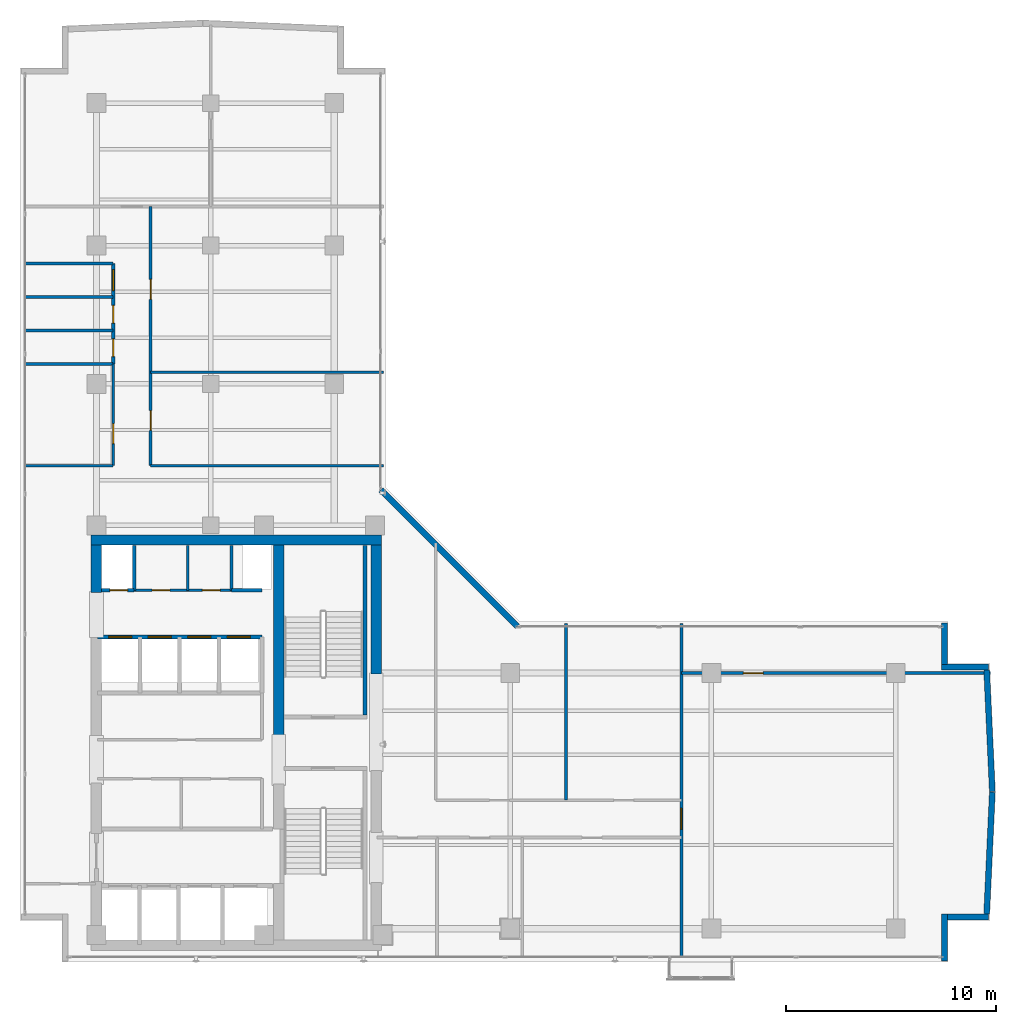
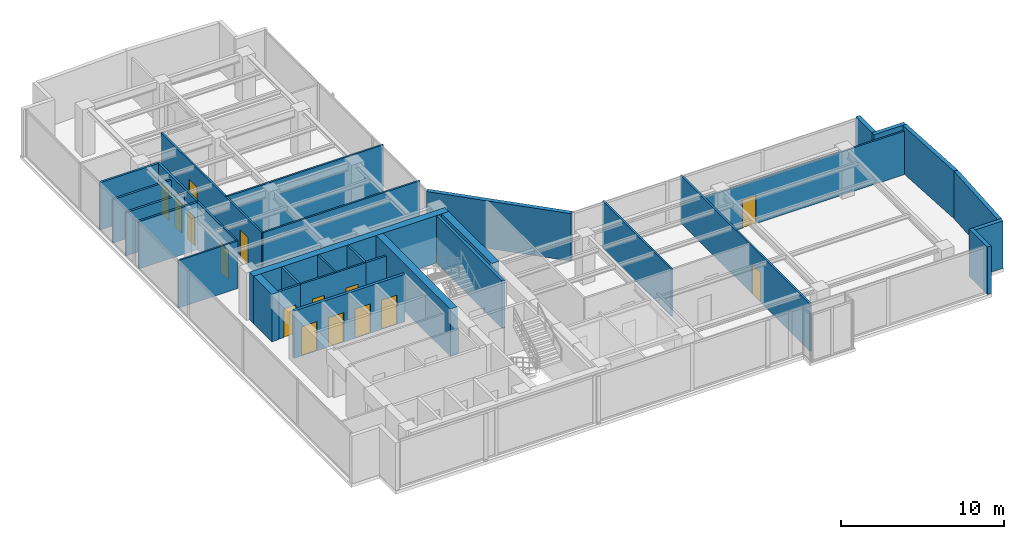
# One storey, part 18 of 24: 32 walls, 15 doors, 15 openings.
"""IFC4 building model written with IfcOpenShell, lengths in metres."""

from ifc_helpers import new_model, si_unit, direction, frame, frame_2d, origin, place, context, subcontext, project, spatial, rectangle, extrude, material, layer, layer_set, type_object, element, fill, save


model = new_model("IFC4")

# Units and contexts
model_context = context("Model", 3, precision=1e-05, world=origin(), true_north=direction((0.0, 1.0)))
body_context = subcontext(model_context, "Body", "Model", "MODEL_VIEW")
ifc_project = project(units=[si_unit("LENGTHUNIT", "METRE"), si_unit("AREAUNIT", "SQUARE_METRE"), si_unit("VOLUMEUNIT", "CUBIC_METRE"), si_unit("PLANEANGLEUNIT", "RADIAN"), si_unit("MASSUNIT", "GRAM", prefix="KILO")], contexts=[model_context])

# Site, building, storey
site_placement = place(None, origin())
site = spatial("IfcSite", under=ifc_project, at=site_placement, CompositionType="ELEMENT")
building_placement = place(site_placement, origin())
building = spatial("IfcBuilding", under=site, at=building_placement, Name="Kolvaren Waterfront Exchange", CompositionType="ELEMENT")
storey_placement = place(building_placement, frame((0.0, 0.0, 316.0)))
storey = spatial("IfcBuildingStorey", under=building, at=storey_placement, Name="L81", CompositionType="ELEMENT", Elevation=316.0)

# Walls
ifc_material_1 = material(Name="Precast concrete C40/50", Category="concrete")
ifc_layer_1 = layer(ifc_material_1, 0.280029296875, Name="Precast concrete C40/50")
ifc_layer_set_1 = layer_set([ifc_layer_1], Name="Precast concrete C40/50")
wall_type_1 = type_object("IfcWallType", Name="ARC-EXT-TERR-280", PredefinedType="SOLIDWALL", material=ifc_layer_set_1)
wall_1_placement = place(storey_placement, frame((47.92431640625, 3.659912109375, 0.0), z_axis=(0.0, 0.0, 1.0), x_axis=(0.0, 1.0, 0.0)))
element("IfcWall", 1, at=wall_1_placement, inside=storey, type_object=wall_type_1, Name="L81 notched corner spandrel pier SE-A", PredefinedType="SOLIDWALL", context=body_context, shape_type="SweptSolid", body=[
    extrude(rectangle(XDim=2.239990234375, YDim=0.280029296875, at=frame_2d((1.1201171875, 0.0))), origin(), (0.0, 0.0, 1.0), 3.56005859375),
])
wall_2_placement = place(storey_placement, frame((48.064208984375, 5.760009765625, 0.0), z_axis=(0.0, 0.0, 1.0), x_axis=(1.0, 0.0, 0.0)))
element("IfcWall", 2, at=wall_2_placement, inside=storey, type_object=wall_type_1, Name="L81 notched corner spandrel pier SE-B", PredefinedType="SOLIDWALL", context=body_context, shape_type="SweptSolid", body=[
    extrude(rectangle(XDim=1.9599609375, YDim=0.280029296875, at=frame_2d((0.97998046875, 0.0))), origin(), (0.0, 0.0, 1.0), 3.56005859375),
])
wall_3_placement = place(storey_placement, frame((47.92431640625, 17.817626953125, 0.0), z_axis=(0.0, 0.0, 1.0), x_axis=(0.0, 1.0, 0.0)))
element("IfcWall", 3, at=wall_3_placement, inside=storey, type_object=wall_type_1, Name="L81 notched corner spandrel pier ENE-A", PredefinedType="SOLIDWALL", context=body_context, shape_type="SweptSolid", body=[
    extrude(rectangle(XDim=1.974853515625, YDim=0.280029296875, at=frame_2d((0.9873046875, 0.0))), origin(), (0.0, 0.0, 1.0), 3.56005859375),
])
wall_4_placement = place(storey_placement, frame((47.7841796875, 17.692626953125, 0.0), z_axis=(0.0, 0.0, 1.0), x_axis=(1.0, 0.0, 0.0)))
element("IfcWall", 4, at=wall_4_placement, inside=storey, type_object=wall_type_1, Name="L81 notched corner spandrel pier ENE-B", PredefinedType="SOLIDWALL", context=body_context, shape_type="SweptSolid", body=[
    extrude(rectangle(XDim=2.239990234375, YDim=0.280029296875, at=frame_2d((1.1201171875, 0.0))), origin(), (0.0, 0.0, 1.0), 3.56005859375),
])
wall_5_placement = place(storey_placement, frame((27.53759765625, 19.627685546875, 0.0), z_axis=(0.0, 0.0, 1.0), x_axis=(-0.707106781187, 0.707106781187, 0.0)))
element("IfcWall", 5, at=wall_5_placement, inside=storey, type_object=wall_type_1, Name="L81 notched corner spandrel pier ELBOW", PredefinedType="SOLIDWALL", context=body_context, shape_type="SweptSolid", body=[
    extrude(rectangle(XDim=9.20654296875, YDim=0.280029296875, at=frame_2d((4.603271484375, 0.0))), origin(), (0.0, 0.0, 1.0), 3.56005859375),
])
wall_6_placement = place(storey_placement, frame((49.938232421875, 5.906982421875, 0.0), z_axis=(0.0, 0.0, 1.0), x_axis=(0.046325924779, 0.998926378015, 0.0)))
element("IfcWall", 6, at=wall_6_placement, inside=storey, type_object=wall_type_1, Name="L81 east prow faceted facade wall 1", PredefinedType="SOLIDWALL", context=body_context, shape_type="SweptSolid", body=[
    extrude(rectangle(XDim=5.81298828125, YDim=0.280029296875, at=frame_2d((2.906494140625, 0.0))), origin(), (0.0, 0.0, 1.0), 3.56005859375),
])
wall_7_placement = place(storey_placement, frame((50.20751953125, 11.739013671875, 0.0), z_axis=(0.0, 0.0, 1.0), x_axis=(-0.046327868457, 0.998926287873, 0.0)))
element("IfcWall", 7, at=wall_7_placement, inside=storey, type_object=wall_type_1, Name="L81 east prow faceted facade wall 2", PredefinedType="SOLIDWALL", context=body_context, shape_type="SweptSolid", body=[
    extrude(rectangle(XDim=5.812744140625, YDim=0.280029296875, at=frame_2d((2.90625, 0.0))), origin(), (0.0, 0.0, 1.0), 3.56005859375),
])

# Wall, openings, doors
ifc_material_2 = material(Name="Acoustic gypsum steel stud", Category="steel")
ifc_layer_2 = layer(ifc_material_2, 0.125, Name="Acoustic gypsum steel stud")
ifc_layer_set_2 = layer_set([ifc_layer_2], Name="Acoustic gypsum steel stud")
wall_type_2 = type_object("IfcWallType", Name="ARC-PART-125", PredefinedType="PARTITIONING", material=ifc_layer_set_2)
wall_8_placement = place(storey_placement, frame((9.25, 21.35009765625, 0.0), z_axis=(0.0, 0.0, 1.0), x_axis=(1.0, 0.0, 0.0)))
wall_8 = element("IfcWall", 8, at=wall_8_placement, inside=storey, type_object=wall_type_2, Name="L81 interior wall PW-L81-SVC-HI-S", PredefinedType="PARTITIONING", context=body_context, shape_type="SweptSolid", body=[
    extrude(rectangle(XDim=4.64990234375, YDim=0.125, at=frame_2d((2.324951171875, 0.0))), origin(), (0.0, 0.0, 1.0), 3.56005859375),
])
opening_1_placement = place(wall_8_placement, frame((0.85009765625, 0.0, 0.0)))
opening_1 = element("IfcOpeningElement", 9, at=opening_1_placement, cuts=wall_8, Name="Opening D01", PredefinedType="OPENING", context=body_context, shape_type="SweptSolid", body=[
    extrude(rectangle(XDim=0.85009765625, YDim=2.14990234375, at=frame_2d((0.425048828125, 1.074951171875))), frame((0.0, 0.072509765625, 0.0), z_axis=(0.0, -1.0, 0.0), x_axis=(1.0, 0.0, 0.0)), (0.0, 0.0, 1.0), 0.14501953125),
])
opening_2_placement = place(wall_8_placement, frame((3.25, 0.0, 0.0)))
opening_2 = element("IfcOpeningElement", 10, at=opening_2_placement, cuts=wall_8, Name="Opening D01", PredefinedType="OPENING", context=body_context, shape_type="SweptSolid", body=[
    extrude(rectangle(XDim=0.85009765625, YDim=2.14990234375, at=frame_2d((0.425048828125, 1.074951171875))), frame((0.0, 0.072509765625, 0.0), z_axis=(0.0, -1.0, 0.0), x_axis=(1.0, 0.0, 0.0)), (0.0, 0.0, 1.0), 0.14501953125),
])
ifc_material_3 = material(Name="Oak veneer timber leaf", Category="wood")
door_type_1 = type_object("IfcDoorType", Name="ARC-DR-900", OperationType="NOTDEFINED", PredefinedType="DOOR", material=ifc_material_3)
door_1_placement = place(opening_1_placement, origin())
door_1 = element("IfcDoor", 11, at=door_1_placement, inside=storey, type_object=door_type_1, Name="L81 door DR-L81-SVC-DR-1 (D01)", OperationType="SINGLE_SWING_LEFT", OverallHeight=2.14990234375, OverallWidth=0.85009765625, PredefinedType="DOOR", context=body_context, shape_type="SweptSolid", body=[
    extrude(rectangle(XDim=0.85009765625, YDim=2.14990234375, at=frame_2d((0.425048828125, 1.074951171875))), frame((0.0, 0.02490234375, 0.0), z_axis=(0.0, -1.0, 0.0), x_axis=(1.0, 0.0, 0.0)), (0.0, 0.0, 1.0), 0.050048828125),
])
fill(opening_1, door_1)
door_2_placement = place(opening_2_placement, origin())
door_2 = element("IfcDoor", 12, at=door_2_placement, inside=storey, type_object=door_type_1, Name="L81 door DR-L81-SVC-DR-2 (D01)", OperationType="SINGLE_SWING_RIGHT", OverallHeight=2.14990234375, OverallWidth=0.85009765625, PredefinedType="DOOR", context=body_context, shape_type="SweptSolid", body=[
    extrude(rectangle(XDim=0.85009765625, YDim=2.14990234375, at=frame_2d((0.425048828125, 1.074951171875))), frame((0.0, 0.02490234375, 0.0), z_axis=(0.0, -1.0, 0.0), x_axis=(1.0, 0.0, 0.0)), (0.0, 0.0, 1.0), 0.050048828125),
])
fill(opening_2, door_2)

# Wall
wall_9_placement = place(storey_placement, frame((11.800048828125, 21.35009765625, 0.0), z_axis=(0.0, 0.0, 1.0), x_axis=(0.0, 1.0, 0.0)))
element("IfcWall", 13, at=wall_9_placement, inside=storey, type_object=wall_type_2, Name="L81 interior wall PW-L81-SVC-HI-M", PredefinedType="PARTITIONING", context=body_context, shape_type="SweptSolid", body=[
    extrude(rectangle(XDim=2.1298828125, YDim=0.125, at=frame_2d((1.06494140625, 0.0))), origin(), (0.0, 0.0, 1.0), 3.56005859375),
])

# Wall, opening, door
wall_10_placement = place(storey_placement, frame((8.25, 27.300048828125, 0.0), z_axis=(0.0, 0.0, 1.0), x_axis=(0.0, 1.0, 0.0)))
wall_10 = element("IfcWall", 14, at=wall_10_placement, inside=storey, type_object=wall_type_2, Name="L81 interior wall PW-L81-PREWC-E", PredefinedType="PARTITIONING", context=body_context, shape_type="SweptSolid", body=[
    extrude(rectangle(XDim=4.849853515625, YDim=0.125, at=frame_2d((2.4248046875, 0.0))), origin(), (0.0, 0.0, 1.0), 3.56005859375),
])
opening_3_placement = place(wall_10_placement, frame((1.050048828125, 0.0, 0.0)))
opening_3 = element("IfcOpeningElement", 15, at=opening_3_placement, cuts=wall_10, Name="Opening D02", PredefinedType="OPENING", context=body_context, shape_type="SweptSolid", body=[
    extrude(rectangle(XDim=0.949951171875, YDim=2.14990234375, at=frame_2d((0.47509765625, 1.074951171875))), frame((0.0, 0.072509765625, 0.0), z_axis=(0.0, -1.0, 0.0), x_axis=(1.0, 0.0, 0.0)), (0.0, 0.0, 1.0), 0.14501953125),
])
ifc_material_4 = material(Name="Oak veneer acoustic timber", Category="wood")
door_type_2 = type_object("IfcDoorType", Name="ARC-DR-950", OperationType="NOTDEFINED", PredefinedType="DOOR", material=ifc_material_4)
door_3_placement = place(opening_3_placement, origin())
door_3 = element("IfcDoor", 16, at=door_3_placement, inside=storey, type_object=door_type_2, Name="L81 door DR-L81-PREWC-D (D02)", OperationType="SINGLE_SWING_LEFT", OverallHeight=2.14990234375, OverallWidth=0.949951171875, PredefinedType="DOOR", context=body_context, shape_type="SweptSolid", body=[
    extrude(rectangle(XDim=0.949951171875, YDim=2.14990234375, at=frame_2d((0.47509765625, 1.074951171875))), frame((0.0, 0.02490234375, 0.0), z_axis=(0.0, -1.0, 0.0), x_axis=(1.0, 0.0, 0.0)), (0.0, 0.0, 1.0), 0.050048828125),
])
fill(opening_3, door_3)

# Wall
wall_11_placement = place(storey_placement, frame((4.0400390625, 27.300048828125, 0.0), z_axis=(0.0, 0.0, 1.0), x_axis=(1.0, 0.0, 0.0)))
element("IfcWall", 17, at=wall_11_placement, inside=storey, type_object=wall_type_2, Name="L81 interior wall PW-L81-PREWC-S", PredefinedType="PARTITIONING", context=body_context, shape_type="SweptSolid", body=[
    extrude(rectangle(XDim=4.2099609375, YDim=0.125, at=frame_2d((2.10498046875, 0.0))), origin(), (0.0, 0.0, 1.0), 3.56005859375),
])

# Wall, opening, door
wall_12_placement = place(storey_placement, frame((35.3701171875, 3.840087890625, 0.0), z_axis=(0.0, 0.0, 1.0), x_axis=(0.0, 1.0, 0.0)))
wall_12 = element("IfcWall", 18, at=wall_12_placement, inside=storey, type_object=wall_type_2, Name="L81 interior wall PW-L81-ETIP-W", PredefinedType="PARTITIONING", context=body_context, shape_type="SweptSolid", body=[
    extrude(rectangle(XDim=15.919921875, YDim=0.125, at=frame_2d((7.9599609375, 0.0))), origin(), (0.0, 0.0, 1.0), 3.56005859375),
])
opening_4_placement = place(wall_12_placement, frame((6.10009765625, 0.0, 0.0)))
opening_4 = element("IfcOpeningElement", 19, at=opening_4_placement, cuts=wall_12, Name="Opening D03", PredefinedType="OPENING", context=body_context, shape_type="SweptSolid", body=[
    extrude(rectangle(XDim=1.0, YDim=2.199951171875, at=frame_2d((0.5, 1.10009765625))), frame((0.0, 0.072509765625, 0.0), z_axis=(0.0, -1.0, 0.0), x_axis=(1.0, 0.0, 0.0)), (0.0, 0.0, 1.0), 0.14501953125),
])
ifc_material_5 = material(Name="Oak veneer accessible timber", Category="wood")
door_type_3 = type_object("IfcDoorType", Name="ARC-DR-1000", OperationType="NOTDEFINED", PredefinedType="DOOR", material=ifc_material_5)
door_4_placement = place(opening_4_placement, origin())
door_4 = element("IfcDoor", 20, at=door_4_placement, inside=storey, type_object=door_type_3, Name="L81 door DR-L81-ETIP1-D (D03)", OperationType="SINGLE_SWING_LEFT", OverallHeight=2.199951171875, OverallWidth=1.0, PredefinedType="DOOR", context=body_context, shape_type="SweptSolid", body=[
    extrude(rectangle(XDim=1.0, YDim=2.199951171875, at=frame_2d((0.5, 1.10009765625))), frame((0.0, 0.02490234375, 0.0), z_axis=(0.0, -1.0, 0.0), x_axis=(1.0, 0.0, 0.0)), (0.0, 0.0, 1.0), 0.050048828125),
])
fill(opening_4, door_4)

wall_13_placement = place(storey_placement, frame((35.3701171875, 17.39990234375, 0.0), z_axis=(0.0, 0.0, 1.0), x_axis=(1.0, 0.0, 0.0)))
wall_13 = element("IfcWall", 21, at=wall_13_placement, inside=storey, type_object=wall_type_2, Name="L81 interior wall PW-L81-ETIP-MID", PredefinedType="PARTITIONING", context=body_context, shape_type="SweptSolid", body=[
    extrude(rectangle(XDim=14.75830078125, YDim=0.125, at=frame_2d((7.379150390625, 0.0))), origin(), (0.0, 0.0, 1.0), 3.260009765625),
])
opening_5_placement = place(wall_13_placement, frame((2.949951171875, 0.0, 0.0)))
opening_5 = element("IfcOpeningElement", 22, at=opening_5_placement, cuts=wall_13, Name="Opening D02", PredefinedType="OPENING", context=body_context, shape_type="SweptSolid", body=[
    extrude(rectangle(XDim=0.949951171875, YDim=2.14990234375, at=frame_2d((0.47509765625, 1.074951171875))), frame((0.0, 0.072509765625, 0.0), z_axis=(0.0, -1.0, 0.0), x_axis=(1.0, 0.0, 0.0)), (0.0, 0.0, 1.0), 0.14501953125),
])
door_5_placement = place(opening_5_placement, origin())
door_5 = element("IfcDoor", 23, at=door_5_placement, inside=storey, type_object=door_type_2, Name="L81 door DR-L81-ETIP2-D (D02)", OperationType="SINGLE_SWING_RIGHT", OverallHeight=2.14990234375, OverallWidth=0.949951171875, PredefinedType="DOOR", context=body_context, shape_type="SweptSolid", body=[
    extrude(rectangle(XDim=0.949951171875, YDim=2.14990234375, at=frame_2d((0.47509765625, 1.074951171875))), frame((0.0, 0.02490234375, 0.0), z_axis=(0.0, -1.0, 0.0), x_axis=(1.0, 0.0, 0.0)), (0.0, 0.0, 1.0), 0.050048828125),
])
fill(opening_5, door_5)

# Walls
wall_14_placement = place(storey_placement, frame((29.860107421875, 11.330078125, 0.0), z_axis=(0.0, 0.0, 1.0), x_axis=(0.0, 1.0, 0.0)))
element("IfcWall", 24, at=wall_14_placement, inside=storey, type_object=wall_type_2, Name="L81 interior wall PW-L81-EN-DIV-1", PredefinedType="PARTITIONING", context=body_context, shape_type="SweptSolid", body=[
    extrude(rectangle(XDim=8.429931640625, YDim=0.125, at=frame_2d((4.21484375, 0.0))), origin(), (0.0, 0.0, 1.0), 3.56005859375),
])
wall_15_placement = place(storey_placement, frame((10.030029296875, 27.300048828125, 0.0), z_axis=(0.0, 0.0, 1.0), x_axis=(1.0, 0.0, 0.0)))
element("IfcWall", 25, at=wall_15_placement, inside=storey, type_object=wall_type_2, Name="L81 interior wall PW-L81-NE-S0", PredefinedType="PARTITIONING", context=body_context, shape_type="SweptSolid", body=[
    extrude(rectangle(XDim=11.1298828125, YDim=0.125, at=frame_2d((5.56494140625, 0.0))), origin(), (0.0, 0.0, 1.0), 3.56005859375),
])

# Wall, openings, doors
wall_16_placement = place(storey_placement, frame((10.030029296875, 27.300048828125, 0.0), z_axis=(0.0, 0.0, 1.0), x_axis=(0.0, 1.0, 0.0)))
wall_16 = element("IfcWall", 26, at=wall_16_placement, inside=storey, type_object=wall_type_2, Name="L81 interior wall PW-L81-NE-CORR", PredefinedType="PARTITIONING", context=body_context, shape_type="SweptSolid", body=[
    extrude(rectangle(XDim=12.369873046875, YDim=0.125, at=frame_2d((6.18505859375, 0.0))), origin(), (0.0, 0.0, 1.0), 3.56005859375),
])
opening_6_placement = place(wall_16_placement, frame((1.678955078125, 0.0, 0.0)))
opening_6 = element("IfcOpeningElement", 27, at=opening_6_placement, cuts=wall_16, Name="Opening D02", PredefinedType="OPENING", context=body_context, shape_type="SweptSolid", body=[
    extrude(rectangle(XDim=0.949951171875, YDim=2.14990234375, at=frame_2d((0.47509765625, 1.074951171875))), frame((0.0, 0.072509765625, 0.0), z_axis=(0.0, -1.0, 0.0), x_axis=(1.0, 0.0, 0.0)), (0.0, 0.0, 1.0), 0.14501953125),
])
opening_7_placement = place(wall_16_placement, frame((7.93505859375, 0.0, 0.0)))
opening_7 = element("IfcOpeningElement", 28, at=opening_7_placement, cuts=wall_16, Name="Opening D02", PredefinedType="OPENING", context=body_context, shape_type="SweptSolid", body=[
    extrude(rectangle(XDim=0.949951171875, YDim=2.14990234375, at=frame_2d((0.47509765625, 1.074951171875))), frame((0.0, 0.072509765625, 0.0), z_axis=(0.0, -1.0, 0.0), x_axis=(1.0, 0.0, 0.0)), (0.0, 0.0, 1.0), 0.14501953125),
])
door_6_placement = place(opening_6_placement, origin())
door_6 = element("IfcDoor", 29, at=door_6_placement, inside=storey, type_object=door_type_2, Name="L81 door DR-L81-NE-D-1 (D02)", OperationType="SINGLE_SWING_LEFT", OverallHeight=2.14990234375, OverallWidth=0.949951171875, PredefinedType="DOOR", context=body_context, shape_type="SweptSolid", body=[
    extrude(rectangle(XDim=0.949951171875, YDim=2.14990234375, at=frame_2d((0.47509765625, 1.074951171875))), frame((0.0, 0.02490234375, 0.0), z_axis=(0.0, -1.0, 0.0), x_axis=(1.0, 0.0, 0.0)), (0.0, 0.0, 1.0), 0.050048828125),
])
fill(opening_6, door_6)
door_7_placement = place(opening_7_placement, origin())
door_7 = element("IfcDoor", 30, at=door_7_placement, inside=storey, type_object=door_type_2, Name="L81 door DR-L81-NE-D-2 (D02)", OperationType="SINGLE_SWING_RIGHT", OverallHeight=2.14990234375, OverallWidth=0.949951171875, PredefinedType="DOOR", context=body_context, shape_type="SweptSolid", body=[
    extrude(rectangle(XDim=0.949951171875, YDim=2.14990234375, at=frame_2d((0.47509765625, 1.074951171875))), frame((0.0, 0.02490234375, 0.0), z_axis=(0.0, -1.0, 0.0), x_axis=(1.0, 0.0, 0.0)), (0.0, 0.0, 1.0), 0.050048828125),
])
fill(opening_7, door_7)

# Walls
wall_17_placement = place(storey_placement, frame((10.030029296875, 31.75, 0.0), z_axis=(0.0, 0.0, 1.0), x_axis=(1.0, 0.0, 0.0)))
element("IfcWall", 31, at=wall_17_placement, inside=storey, type_object=wall_type_2, Name="L81 interior wall PW-L81-NE-DIV-1", PredefinedType="PARTITIONING", context=body_context, shape_type="SweptSolid", body=[
    extrude(rectangle(XDim=11.1298828125, YDim=0.125, at=frame_2d((5.56494140625, 0.0))), origin(), (0.0, 0.0, 1.0), 3.56005859375),
])
ifc_material_6 = material(Name="Gypsum fireboard steel stud", Category="steel")
ifc_layer_3 = layer(ifc_material_6, 0.14990234375, Name="Gypsum fireboard steel stud")
ifc_layer_set_3 = layer_set([ifc_layer_3], Name="Gypsum fireboard steel stud")
wall_type_3 = type_object("IfcWallType", Name="ARC-PART-150", PredefinedType="PARTITIONING", material=ifc_layer_set_3)
for number, where, z_axis, x_axis, name in (
    (32, (9.25, 21.35009765625, 0.0), (0.0, 0.0, 1.0), (0.0, 1.0, 0.0), "L81 interior wall PW-L81-SVC-R1"),
    (33, (13.89990234375, 21.35009765625, 0.0), (0.0, 0.0, 1.0), (0.0, 1.0, 0.0), "L81 interior wall PW-L81-SVC-R2"),
):
    element("IfcWall", number, at=place(storey_placement, frame(where, z_axis=z_axis, x_axis=x_axis)), inside=storey, type_object=wall_type_3, Name=name, PredefinedType="PARTITIONING", context=body_context, shape_type="SweptSolid", body=[
        extrude(rectangle(XDim=2.1298828125, YDim=0.14990234375, at=frame_2d((1.06494140625, 0.0))), origin(), (0.0, 0.0, 1.0), 3.56005859375),
    ])

# Wall, opening, door
wall_18_placement = place(storey_placement, frame((7.699951171875, 21.35009765625, 0.0), z_axis=(0.0, 0.0, 1.0), x_axis=(1.0, 0.0, 0.0)))
wall_18 = element("IfcWall", 34, at=wall_18_placement, inside=storey, type_object=wall_type_3, Name="L81 interior wall PW-L81-SVC-RE-S", PredefinedType="PARTITIONING", context=body_context, shape_type="SweptSolid", body=[
    extrude(rectangle(XDim=1.550048828125, YDim=0.14990234375, at=frame_2d((0.77490234375, 0.0))), origin(), (0.0, 0.0, 1.0), 3.56005859375),
])
opening_8_placement = place(wall_18_placement, frame((0.389892578125, 0.0, 0.0)))
opening_8 = element("IfcOpeningElement", 35, at=opening_8_placement, cuts=wall_18, Name="Opening FD1", PredefinedType="OPENING", context=body_context, shape_type="SweptSolid", body=[
    extrude(rectangle(XDim=0.85009765625, YDim=2.14990234375, at=frame_2d((0.425048828125, 1.074951171875))), frame((0.0, 0.0849609375, 0.0), z_axis=(0.0, -1.0, 0.0), x_axis=(1.0, 0.0, 0.0)), (0.0, 0.0, 1.0), 0.169921875),
])
ifc_material_7 = material(Name="Pressed steel fire leaf", Category="steel")
door_type_4 = type_object("IfcDoorType", Name="ARC-FD-900", OperationType="NOTDEFINED", PredefinedType="DOOR", material=ifc_material_7)
door_8_placement = place(opening_8_placement, origin())
door_8 = element("IfcDoor", 36, at=door_8_placement, inside=storey, type_object=door_type_4, Name="L81 door DR-L81-RISER-E-DR (FD1)", OperationType="SINGLE_SWING_RIGHT", OverallHeight=2.14990234375, OverallWidth=0.85009765625, PredefinedType="DOOR", context=body_context, shape_type="SweptSolid", body=[
    extrude(rectangle(XDim=0.85009765625, YDim=2.14990234375, at=frame_2d((0.425048828125, 1.074951171875))), frame((0.0, 0.02490234375, 0.0), z_axis=(0.0, -1.0, 0.0), x_axis=(1.0, 0.0, 0.0)), (0.0, 0.0, 1.0), 0.050048828125),
])
fill(opening_8, door_8)

# Walls
wall_19_placement = place(storey_placement, frame((13.89990234375, 21.35009765625, 0.0), z_axis=(0.0, 0.0, 1.0), x_axis=(1.0, 0.0, 0.0)))
element("IfcWall", 37, at=wall_19_placement, inside=storey, type_object=wall_type_3, Name="L81 interior wall PW-L81-SVC-RP-S", PredefinedType="PARTITIONING", context=body_context, shape_type="SweptSolid", body=[
    extrude(rectangle(XDim=1.4501953125, YDim=0.14990234375, at=frame_2d((0.72509765625, 0.0))), origin(), (0.0, 0.0, 1.0), 3.56005859375),
])
ifc_material_8 = material(Name="Moisture-resistant gypsum stud")
ifc_layer_4 = layer(ifc_material_8, 0.14990234375, Name="Moisture-resistant gypsum stud")
ifc_layer_set_4 = layer_set([ifc_layer_4], Name="Moisture-resistant gypsum stud")
wall_type_4 = type_object("IfcWallType", Name="ARC-PLUMB-150", PredefinedType="PLUMBINGWALL", material=ifc_layer_set_4)
wall_20_placement = place(storey_placement, frame((4.0400390625, 32.14990234375, 0.0), z_axis=(0.0, 0.0, 1.0), x_axis=(1.0, 0.0, 0.0)))
element("IfcWall", 38, at=wall_20_placement, inside=storey, type_object=wall_type_4, Name="L81 interior wall PW-L81-WC-0", PredefinedType="PLUMBINGWALL", context=body_context, shape_type="SweptSolid", body=[
    extrude(rectangle(XDim=4.2099609375, YDim=0.14990234375, at=frame_2d((2.10498046875, 0.0))), origin(), (0.0, 0.0, 1.0), 3.56005859375),
])

# Wall, openings, doors
wall_21_placement = place(storey_placement, frame((8.25, 32.14990234375, 0.0), z_axis=(0.0, 0.0, 1.0), x_axis=(0.0, 1.0, 0.0)))
wall_21 = element("IfcWall", 39, at=wall_21_placement, inside=storey, type_object=wall_type_4, Name="L81 interior wall PW-L81-WC-E", PredefinedType="PLUMBINGWALL", context=body_context, shape_type="SweptSolid", body=[
    extrude(rectangle(XDim=4.800048828125, YDim=0.14990234375, at=frame_2d((2.39990234375, 0.0))), origin(), (0.0, 0.0, 1.0), 3.56005859375),
])
opening_9_placement = place(wall_21_placement, frame((0.35009765625, 0.0, 0.0)))
opening_9 = element("IfcOpeningElement", 40, at=opening_9_placement, cuts=wall_21, Name="Opening D01", PredefinedType="OPENING", context=body_context, shape_type="SweptSolid", body=[
    extrude(rectangle(XDim=0.85009765625, YDim=2.14990234375, at=frame_2d((0.425048828125, 1.074951171875))), frame((0.0, 0.0849609375, 0.0), z_axis=(0.0, -1.0, 0.0), x_axis=(1.0, 0.0, 0.0)), (0.0, 0.0, 1.0), 0.169921875),
])
opening_10_placement = place(wall_21_placement, frame((1.949951171875, 0.0, 0.0)))
opening_10 = element("IfcOpeningElement", 41, at=opening_10_placement, cuts=wall_21, Name="Opening D01", PredefinedType="OPENING", context=body_context, shape_type="SweptSolid", body=[
    extrude(rectangle(XDim=0.85009765625, YDim=2.14990234375, at=frame_2d((0.425048828125, 1.074951171875))), frame((0.0, 0.0849609375, 0.0), z_axis=(0.0, -1.0, 0.0), x_axis=(1.0, 0.0, 0.0)), (0.0, 0.0, 1.0), 0.169921875),
])
opening_11_placement = place(wall_21_placement, frame((3.5, 0.0, 0.0)))
opening_11 = element("IfcOpeningElement", 42, at=opening_11_placement, cuts=wall_21, Name="Opening D03", PredefinedType="OPENING", context=body_context, shape_type="SweptSolid", body=[
    extrude(rectangle(XDim=1.0, YDim=2.199951171875, at=frame_2d((0.5, 1.10009765625))), frame((0.0, 0.0849609375, 0.0), z_axis=(0.0, -1.0, 0.0), x_axis=(1.0, 0.0, 0.0)), (0.0, 0.0, 1.0), 0.169921875),
])
door_9_placement = place(opening_11_placement, origin())
door_9 = element("IfcDoor", 43, at=door_9_placement, inside=storey, type_object=door_type_3, Name="L81 door DR-L81-WCA-D (D03)", OperationType="SINGLE_SWING_RIGHT", OverallHeight=2.199951171875, OverallWidth=1.0, PredefinedType="DOOR", context=body_context, shape_type="SweptSolid", body=[
    extrude(rectangle(XDim=1.0, YDim=2.199951171875, at=frame_2d((0.5, 1.10009765625))), frame((0.0, 0.02490234375, 0.0), z_axis=(0.0, -1.0, 0.0), x_axis=(1.0, 0.0, 0.0)), (0.0, 0.0, 1.0), 0.050048828125),
])
fill(opening_11, door_9)
door_10_placement = place(opening_9_placement, origin())
door_10 = element("IfcDoor", 44, at=door_10_placement, inside=storey, type_object=door_type_1, Name="L81 door DR-L81-WCM-D (D01)", OperationType="SINGLE_SWING_RIGHT", OverallHeight=2.14990234375, OverallWidth=0.85009765625, PredefinedType="DOOR", context=body_context, shape_type="SweptSolid", body=[
    extrude(rectangle(XDim=0.85009765625, YDim=2.14990234375, at=frame_2d((0.425048828125, 1.074951171875))), frame((0.0, 0.02490234375, 0.0), z_axis=(0.0, -1.0, 0.0), x_axis=(1.0, 0.0, 0.0)), (0.0, 0.0, 1.0), 0.050048828125),
])
fill(opening_9, door_10)
door_11_placement = place(opening_10_placement, origin())
door_11 = element("IfcDoor", 45, at=door_11_placement, inside=storey, type_object=door_type_1, Name="L81 door DR-L81-WCF-D (D01)", OperationType="SINGLE_SWING_LEFT", OverallHeight=2.14990234375, OverallWidth=0.85009765625, PredefinedType="DOOR", context=body_context, shape_type="SweptSolid", body=[
    extrude(rectangle(XDim=0.85009765625, YDim=2.14990234375, at=frame_2d((0.425048828125, 1.074951171875))), frame((0.0, 0.02490234375, 0.0), z_axis=(0.0, -1.0, 0.0), x_axis=(1.0, 0.0, 0.0)), (0.0, 0.0, 1.0), 0.050048828125),
])
fill(opening_10, door_11)

# Walls
for number, where, z_axis, x_axis, name in (
    (46, (4.0400390625, 33.75, 0.0), (0.0, 0.0, 1.0), (1.0, 0.0, 0.0), "L81 interior wall PW-L81-WC-1"),
    (47, (4.0400390625, 35.35009765625, 0.0), (0.0, 0.0, 1.0), (1.0, 0.0, 0.0), "L81 interior wall PW-L81-WC-2"),
):
    element("IfcWall", number, at=place(storey_placement, frame(where, z_axis=z_axis, x_axis=x_axis)), inside=storey, type_object=wall_type_4, Name=name, PredefinedType="PLUMBINGWALL", context=body_context, shape_type="SweptSolid", body=[
        extrude(rectangle(XDim=4.2099609375, YDim=0.14990234375, at=frame_2d((2.10498046875, 0.0))), origin(), (0.0, 0.0, 1.0), 3.260009765625),
    ])
wall_22_placement = place(storey_placement, frame((4.0400390625, 36.949951171875, 0.0), z_axis=(0.0, 0.0, 1.0), x_axis=(1.0, 0.0, 0.0)))
element("IfcWall", 48, at=wall_22_placement, inside=storey, type_object=wall_type_4, Name="L81 interior wall PW-L81-WC-3", PredefinedType="PLUMBINGWALL", context=body_context, shape_type="SweptSolid", body=[
    extrude(rectangle(XDim=4.2099609375, YDim=0.14990234375, at=frame_2d((2.10498046875, 0.0))), origin(), (0.0, 0.0, 1.0), 3.56005859375),
])
ifc_material_9 = material(Name="Concrete C40/50", Category="concrete")
ifc_layer_5 = layer(ifc_material_9, 0.199951171875, Name="Concrete C40/50")
ifc_layer_set_5 = layer_set([ifc_layer_5], Name="Concrete C40/50")
wall_type_5 = type_object("IfcWallType", Name="ARC-SHAFT-200", PredefinedType="PARTITIONING", material=ifc_layer_set_5)
wall_23_placement = place(storey_placement, frame((20.260009765625, 15.39990234375, 0.0), z_axis=(0.0, 0.0, 1.0), x_axis=(0.0, 1.0, 0.0)))
element("IfcWall", 49, at=wall_23_placement, inside=storey, type_object=wall_type_5, Name="L81 structural stairwell wall PW-L81-ST2-E", PredefinedType="SHEAR", context=body_context, shape_type="SweptSolid", body=[
    extrude(rectangle(XDim=8.090087890625, YDim=0.199951171875, at=frame_2d((4.044921875, 0.0))), origin(), (0.0, 0.0, 1.0), 3.56005859375),
])

# Wall, openings, doors
wall_24_placement = place(storey_placement, frame((7.5, 19.1201171875, 0.0), z_axis=(0.0, 0.0, 1.0), x_axis=(1.0, 0.0, 0.0)))
wall_24 = element("IfcWall", 50, at=wall_24_placement, inside=storey, type_object=wall_type_5, Name="L81 interior wall PW-L81-PH-N", PredefinedType="PARTITIONING", context=body_context, shape_type="SweptSolid", body=[
    extrude(rectangle(XDim=7.85009765625, YDim=0.199951171875, at=frame_2d((3.925048828125, 0.0))), origin(), (0.0, 0.0, 1.0), 3.56005859375),
])
opening_12_placement = place(wall_24_placement, frame((0.530029296875, 0.0, 0.0)))
opening_12 = element("IfcOpeningElement", 51, at=opening_12_placement, cuts=wall_24, Name="Opening LD2", PredefinedType="OPENING", context=body_context, shape_type="SweptSolid", body=[
    extrude(rectangle(XDim=1.10009765625, YDim=2.199951171875, at=frame_2d((0.550048828125, 1.10009765625))), frame((0.0, 0.10986328125, 0.0), z_axis=(0.0, -1.0, 0.0), x_axis=(1.0, 0.0, 0.0)), (0.0, 0.0, 1.0), 0.219970703125),
])
opening_13_placement = place(wall_24_placement, frame((2.419921875, 0.0, 0.0)))
opening_13 = element("IfcOpeningElement", 52, at=opening_13_placement, cuts=wall_24, Name="Opening LD2", PredefinedType="OPENING", context=body_context, shape_type="SweptSolid", body=[
    extrude(rectangle(XDim=1.10009765625, YDim=2.199951171875, at=frame_2d((0.550048828125, 1.10009765625))), frame((0.0, 0.10986328125, 0.0), z_axis=(0.0, -1.0, 0.0), x_axis=(1.0, 0.0, 0.0)), (0.0, 0.0, 1.0), 0.219970703125),
])
opening_14_placement = place(wall_24_placement, frame((4.31005859375, 0.0, 0.0)))
opening_14 = element("IfcOpeningElement", 53, at=opening_14_placement, cuts=wall_24, Name="Opening LD2", PredefinedType="OPENING", context=body_context, shape_type="SweptSolid", body=[
    extrude(rectangle(XDim=1.10009765625, YDim=2.199951171875, at=frame_2d((0.550048828125, 1.10009765625))), frame((0.0, 0.10986328125, 0.0), z_axis=(0.0, -1.0, 0.0), x_axis=(1.0, 0.0, 0.0)), (0.0, 0.0, 1.0), 0.219970703125),
])
opening_15_placement = place(wall_24_placement, frame((6.199951171875, 0.0, 0.0)))
opening_15 = element("IfcOpeningElement", 54, at=opening_15_placement, cuts=wall_24, Name="Opening LD2", PredefinedType="OPENING", context=body_context, shape_type="SweptSolid", body=[
    extrude(rectangle(XDim=1.10009765625, YDim=2.199951171875, at=frame_2d((0.550048828125, 1.10009765625))), frame((0.0, 0.10986328125, 0.0), z_axis=(0.0, -1.0, 0.0), x_axis=(1.0, 0.0, 0.0)), (0.0, 0.0, 1.0), 0.219970703125),
])
ifc_material_10 = material(Name="Brushed bronze sliding landing door", Category="aluminium")
door_type_5 = type_object("IfcDoorType", Name="ARC-LD-PAX", OperationType="SLIDING_TO_LEFT", PredefinedType="DOOR", material=ifc_material_10)
door_12_placement = place(opening_12_placement, origin())
door_12 = element("IfcDoor", 55, at=door_12_placement, inside=storey, type_object=door_type_5, Name="L81 door LD-L81-PH1 (LD2)", OperationType="SLIDING_TO_LEFT", OverallHeight=2.199951171875, OverallWidth=1.10009765625, PredefinedType="DOOR", context=body_context, shape_type="SweptSolid", body=[
    extrude(rectangle(XDim=1.10009765625, YDim=2.199951171875, at=frame_2d((0.550048828125, 1.10009765625))), frame((0.0, 0.02490234375, 0.0), z_axis=(0.0, -1.0, 0.0), x_axis=(1.0, 0.0, 0.0)), (0.0, 0.0, 1.0), 0.050048828125),
])
fill(opening_12, door_12)
door_13_placement = place(opening_13_placement, origin())
door_13 = element("IfcDoor", 56, at=door_13_placement, inside=storey, type_object=door_type_5, Name="L81 door LD-L81-PH2 (LD2)", OperationType="SLIDING_TO_LEFT", OverallHeight=2.199951171875, OverallWidth=1.10009765625, PredefinedType="DOOR", context=body_context, shape_type="SweptSolid", body=[
    extrude(rectangle(XDim=1.10009765625, YDim=2.199951171875, at=frame_2d((0.550048828125, 1.10009765625))), frame((0.0, 0.02490234375, 0.0), z_axis=(0.0, -1.0, 0.0), x_axis=(1.0, 0.0, 0.0)), (0.0, 0.0, 1.0), 0.050048828125),
])
fill(opening_13, door_13)
door_14_placement = place(opening_14_placement, origin())
door_14 = element("IfcDoor", 57, at=door_14_placement, inside=storey, type_object=door_type_5, Name="L81 door LD-L81-PH3 (LD2)", OperationType="SLIDING_TO_LEFT", OverallHeight=2.199951171875, OverallWidth=1.10009765625, PredefinedType="DOOR", context=body_context, shape_type="SweptSolid", body=[
    extrude(rectangle(XDim=1.10009765625, YDim=2.199951171875, at=frame_2d((0.550048828125, 1.10009765625))), frame((0.0, 0.02490234375, 0.0), z_axis=(0.0, -1.0, 0.0), x_axis=(1.0, 0.0, 0.0)), (0.0, 0.0, 1.0), 0.050048828125),
])
fill(opening_14, door_14)
door_15_placement = place(opening_15_placement, origin())
door_15 = element("IfcDoor", 58, at=door_15_placement, inside=storey, type_object=door_type_5, Name="L81 door LD-L81-PH4 (LD2)", OperationType="SLIDING_TO_LEFT", OverallHeight=2.199951171875, OverallWidth=1.10009765625, PredefinedType="DOOR", context=body_context, shape_type="SweptSolid", body=[
    extrude(rectangle(XDim=1.10009765625, YDim=2.199951171875, at=frame_2d((0.550048828125, 1.10009765625))), frame((0.0, 0.02490234375, 0.0), z_axis=(0.0, -1.0, 0.0), x_axis=(1.0, 0.0, 0.0)), (0.0, 0.0, 1.0), 0.050048828125),
])
fill(opening_15, door_15)

# Walls
ifc_material_11 = material(Name="Concrete C50/60", Category="concrete")
ifc_layer_6 = layer(ifc_material_11, 0.5, Name="Concrete C50/60")
ifc_layer_set_6 = layer_set([ifc_layer_6], Name="Concrete C50/60")
wall_type_6 = type_object("IfcWallType", Name="STR-CWALL-500", PredefinedType="SHEAR", material=ifc_layer_set_6)
wall_25_placement = place(storey_placement, frame((7.199951171875, 23.75, 0.0), z_axis=(0.0, 0.0, 1.0), x_axis=(1.0, 0.0, 0.0)))
element("IfcWall", 59, at=wall_25_placement, inside=storey, type_object=wall_type_6, Name="L81 rear-core shear wall N", PredefinedType="SHEAR", context=body_context, shape_type="SweptSolid", body=[
    extrude(rectangle(XDim=13.85009765625, YDim=0.5, at=frame_2d((6.925048828125, 0.0))), origin(), (0.0, 0.0, 1.0), 3.56005859375),
])
wall_26_placement = place(storey_placement, frame((7.449951171875, 21.239990234375, 0.0), z_axis=(0.0, 0.0, 1.0), x_axis=(0.0, 1.0, 0.0)))
element("IfcWall", 60, at=wall_26_placement, inside=storey, type_object=wall_type_6, Name="L81 rear-core shear wall W3", PredefinedType="SHEAR", context=body_context, shape_type="SweptSolid", body=[
    extrude(rectangle(XDim=2.260009765625, YDim=0.5, at=frame_2d((1.1298828125, 0.0))), origin(), (0.0, 0.0, 1.0), 3.56005859375),
])
wall_27_placement = place(storey_placement, frame((20.800048828125, 17.35009765625, 0.0), z_axis=(0.0, 0.0, 1.0), x_axis=(0.0, 1.0, 0.0)))
element("IfcWall", 61, at=wall_27_placement, inside=storey, type_object=wall_type_6, Name="L81 rear-core shear wall E3", PredefinedType="SHEAR", context=body_context, shape_type="SweptSolid", body=[
    extrude(rectangle(XDim=6.14990234375, YDim=0.5, at=frame_2d((3.074951171875, 0.0))), origin(), (0.0, 0.0, 1.0), 3.56005859375),
])
wall_28_placement = place(storey_placement, frame((16.14990234375, 14.39990234375, 0.0), z_axis=(0.0, 0.0, 1.0), x_axis=(0.0, 1.0, 0.0)))
element("IfcWall", 62, at=wall_28_placement, inside=storey, type_object=wall_type_6, Name="L81 rear-core shear wall M3", PredefinedType="SHEAR", context=body_context, shape_type="SweptSolid", body=[
    extrude(rectangle(XDim=9.10009765625, YDim=0.5, at=frame_2d((4.550048828125, 0.0))), origin(), (0.0, 0.0, 1.0), 3.56005859375),
])

save(model, "model.ifc")
